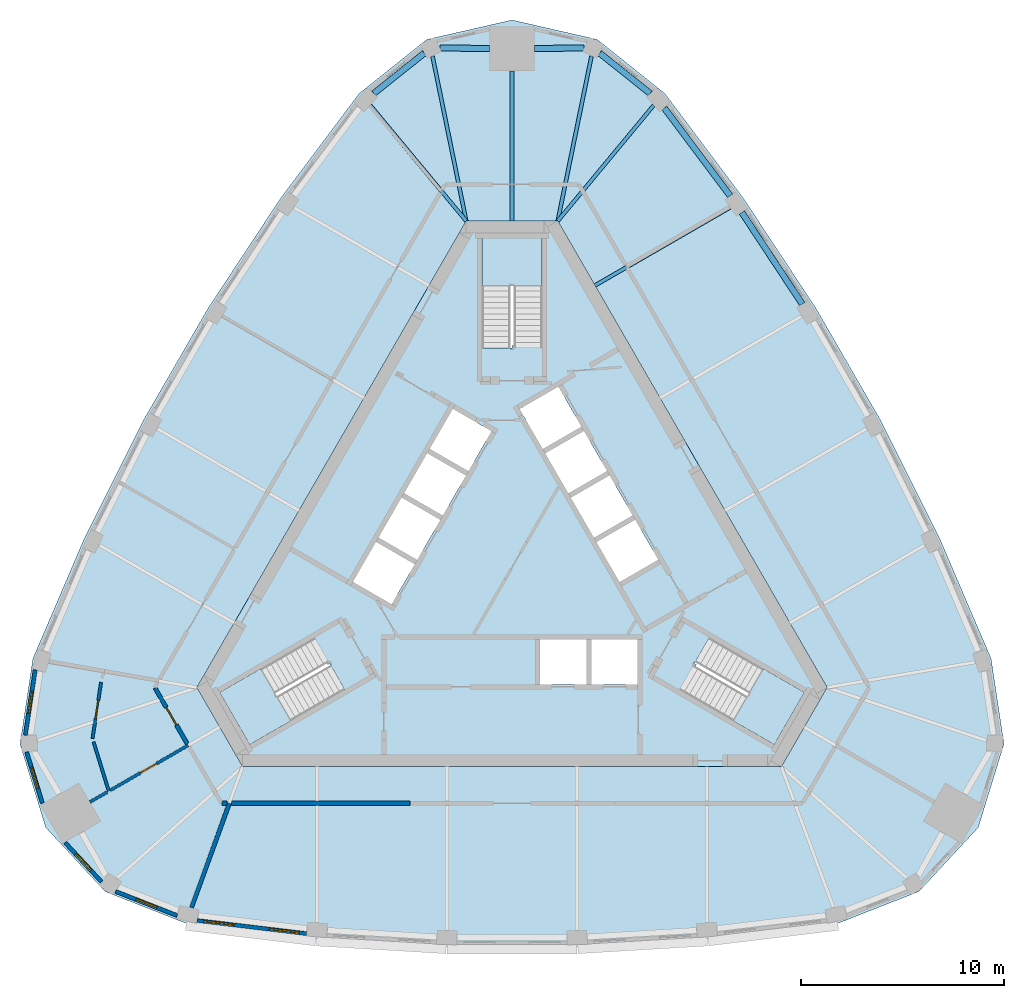
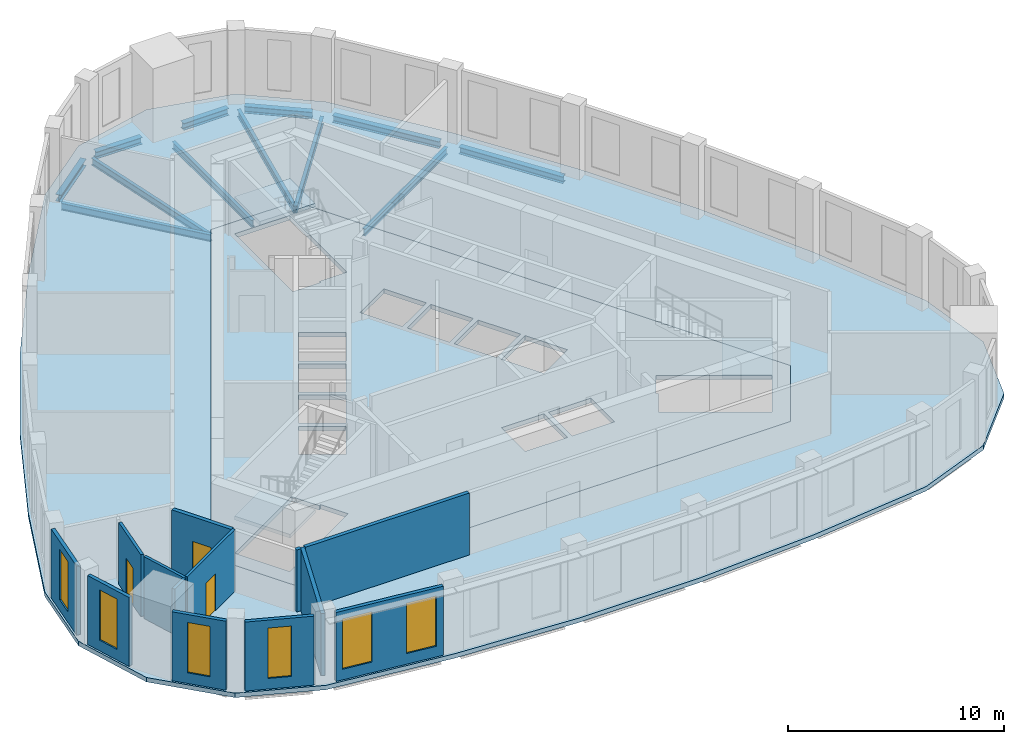
# One storey, part 2 of 8: 13 walls, 12 beams, 6 windows, 5 slabs, 3 doors, 9 openings, 3 elements without a shape of their own.
"""IFC4 building model written with IfcOpenShell, lengths in metres."""

from ifc_helpers import new_model, si_unit, direction, frame, frame_2d, origin, origin_2d, place, context, subcontext, project, spatial, polyline, rectangle, i_section, outline, extrude, material, layer, layer_set, material_profile, profile_set, type_object, element, fill, aggregate, save


model = new_model("IFC4")

# Units and contexts
model_context = context("Model", 3, precision=1e-05, world=origin(), true_north=direction((0.0, 1.0)))
body_context = subcontext(model_context, "Body", "Model", "MODEL_VIEW")
ifc_project = project(units=[si_unit("LENGTHUNIT", "METRE"), si_unit("AREAUNIT", "SQUARE_METRE"), si_unit("VOLUMEUNIT", "CUBIC_METRE"), si_unit("PLANEANGLEUNIT", "RADIAN"), si_unit("MASSUNIT", "GRAM", prefix="KILO")], contexts=[model_context])

# Site, building, storey
site_placement = place(None, origin())
site = spatial("IfcSite", under=ifc_project, at=site_placement, CompositionType="ELEMENT")
building_placement = place(site_placement, origin())
building = spatial("IfcBuilding", under=site, at=building_placement, Name="Mestral Congress Tower", CompositionType="ELEMENT")
storey_placement = place(building_placement, frame((0.0, 0.0, 317.39990234375)))
storey = spatial("IfcBuildingStorey", under=building, at=storey_placement, Name="L74", CompositionType="ELEMENT", Elevation=317.39990234375)

# Beams
ifc_material_1 = material(Name="Steel S355", Category="steel")
ifc_material_profile_1 = material_profile(ifc_material_1, i_section(OverallWidth=0.179931640625, OverallDepth=0.39990234375, WebThickness=0.008544921875, FlangeThickness=0.013427734375, FilletRadius=0.02099609375, at=origin_2d()), Name="IPE 400")
ifc_profile_set_1 = profile_set([ifc_material_profile_1], Name="Steel S355")
beam_type_1 = type_object("IfcBeamType", Name="Floor beam IPE 400 S355", PredefinedType="BEAM", material=ifc_profile_set_1)
beam_1_placement = place(storey_placement, frame((10.7275390625, 17.263916015625, -0.449951171875), z_axis=(-0.866019720907, -0.500009842903, 0.0), x_axis=(0.500009842903, -0.866019720907, 0.0)))
element("IfcBeam", 1, at=beam_1_placement, inside=storey, type_object=beam_type_1, Name="BM-L74-RB5-E04", PredefinedType="BEAM", context=body_context, shape_type="SweptSolid", body=[
    extrude(i_section(OverallWidth=0.179931640625, OverallDepth=0.39990234375, WebThickness=0.008544921875, FlangeThickness=0.013427734375, FilletRadius=0.02099609375, at=origin_2d()), origin(), (0.0, 0.0, 1.0), 7.672119140625),
])
beam_2_placement = place(storey_placement, frame((6.969970703125, 22.2890625, -0.449951171875), z_axis=(-0.638382651591, -0.769719163168, 0.0), x_axis=(0.769719163168, -0.638382651591, 0.0)))
element("IfcBeam", 2, at=beam_2_placement, inside=storey, type_object=beam_type_1, Name="BM-L74-RB5-E05", PredefinedType="BEAM", context=body_context, shape_type="SweptSolid", body=[
    extrude(i_section(OverallWidth=0.179931640625, OverallDepth=0.39990234375, WebThickness=0.008544921875, FlangeThickness=0.013427734375, FilletRadius=0.02099609375, at=origin_2d()), origin(), (0.0, 0.0, 1.0), 7.390869140625),
])
beam_3_placement = place(storey_placement, frame((3.910888671875, 24.7119140625, -0.449951171875), z_axis=(-0.200389803804, -0.979716247967, 0.0), x_axis=(0.979716247967, -0.200389803804, 0.0)))
element("IfcBeam", 3, at=beam_3_placement, inside=storey, type_object=beam_type_1, Name="BM-L74-RB5-N1", PredefinedType="BEAM", context=body_context, shape_type="SweptSolid", body=[
    extrude(i_section(OverallWidth=0.179931640625, OverallDepth=0.39990234375, WebThickness=0.008544921875, FlangeThickness=0.013427734375, FilletRadius=0.02099609375, at=origin_2d()), origin(), (0.0, 0.0, 1.0), 8.27978515625),
])
beam_4_placement = place(storey_placement, frame((0.0, 23.97802734375, -0.449951171875), z_axis=(0.0, -1.0, 0.0), x_axis=(1.0, 0.0, 0.0)))
element("IfcBeam", 4, at=beam_4_placement, inside=storey, type_object=beam_type_1, Name="BM-L74-RB5-N", PredefinedType="BEAM", context=body_context, shape_type="SweptSolid", body=[
    extrude(i_section(OverallWidth=0.179931640625, OverallDepth=0.39990234375, WebThickness=0.008544921875, FlangeThickness=0.013427734375, FilletRadius=0.02099609375, at=origin_2d()), origin(), (0.0, 0.0, 1.0), 7.3779296875),
])
beam_5_placement = place(storey_placement, frame((-3.910888671875, 24.7119140625, -0.449951171875), z_axis=(0.200389803804, -0.979716247967, 0.0), x_axis=(0.979716247967, 0.200389803804, 0.0)))
element("IfcBeam", 5, at=beam_5_placement, inside=storey, type_object=beam_type_1, Name="BM-L74-RB5-N3", PredefinedType="BEAM", context=body_context, shape_type="SweptSolid", body=[
    extrude(i_section(OverallWidth=0.179931640625, OverallDepth=0.39990234375, WebThickness=0.008544921875, FlangeThickness=0.013427734375, FilletRadius=0.02099609375, at=origin_2d()), origin(), (0.0, 0.0, 1.0), 8.27978515625),
])
beam_6_placement = place(storey_placement, frame((-6.969970703125, 22.2890625, -0.449951171875), z_axis=(0.638382651591, -0.769719163168, 0.0), x_axis=(0.769719163168, 0.638382651591, 0.0)))
element("IfcBeam", 6, at=beam_6_placement, inside=storey, type_object=beam_type_1, Name="BM-L74-RB5-W00", PredefinedType="BEAM", context=body_context, shape_type="SweptSolid", body=[
    extrude(i_section(OverallWidth=0.179931640625, OverallDepth=0.39990234375, WebThickness=0.008544921875, FlangeThickness=0.013427734375, FilletRadius=0.02099609375, at=origin_2d()), origin(), (0.0, 0.0, 1.0), 7.390869140625),
])
ifc_material_profile_2 = material_profile(ifc_material_1, i_section(OverallWidth=0.300048828125, OverallDepth=0.389892578125, WebThickness=0.010986328125, FlangeThickness=0.01904296875, FilletRadius=0.027099609375, at=origin_2d()), Name="HEA 400")
ifc_profile_set_2 = profile_set([ifc_material_profile_2], Name="Steel S355")
beam_type_2 = type_object("IfcBeamType", Name="Spandrel beam HEA 400 S355", PredefinedType="BEAM", material=ifc_profile_set_2)
beam_7_placement = place(storey_placement, frame((14.280517578125, 12.51611328125, -0.44482421875), z_axis=(-0.550748957655, 0.83467094453, 0.0), x_axis=(-0.83467094453, -0.550748957655, 0.0)))
element("IfcBeam", 7, at=beam_7_placement, inside=storey, type_object=beam_type_2, Name="SP-L74-SB5-E03", PredefinedType="BEAM", context=body_context, shape_type="SweptSolid", body=[
    extrude(i_section(OverallWidth=0.300048828125, OverallDepth=0.389892578125, WebThickness=0.010986328125, FlangeThickness=0.01904296875, FilletRadius=0.027099609375, at=origin_2d()), origin(), (0.0, 0.0, 1.0), 5.3984375),
])
beam_8_placement = place(storey_placement, frame((10.73193359375, 17.83984375, -0.44482421875), z_axis=(-0.599529393236, 0.800352738888, 0.0), x_axis=(-0.800352738888, -0.599529393236, 0.0)))
element("IfcBeam", 8, at=beam_8_placement, inside=storey, type_object=beam_type_2, Name="SP-L74-SB5-E04", PredefinedType="BEAM", context=body_context, shape_type="SweptSolid", body=[
    extrude(i_section(OverallWidth=0.300048828125, OverallDepth=0.389892578125, WebThickness=0.010986328125, FlangeThickness=0.01904296875, FilletRadius=0.027099609375, at=origin_2d()), origin(), (0.0, 0.0, 1.0), 5.396484375),
])
beam_9_placement = place(storey_placement, frame((6.7998046875, 22.876708984375, -0.44482421875), z_axis=(-0.781647188603, 0.623720829016, 0.0), x_axis=(-0.623720829016, -0.781647188603, 0.0)))
element("IfcBeam", 9, at=beam_9_placement, inside=storey, type_object=beam_type_2, Name="SP-L74-SB5-E05", PredefinedType="BEAM", context=body_context, shape_type="SweptSolid", body=[
    extrude(i_section(OverallWidth=0.300048828125, OverallDepth=0.389892578125, WebThickness=0.010986328125, FlangeThickness=0.01904296875, FilletRadius=0.027099609375, at=origin_2d()), origin(), (0.0, 0.0, 1.0), 3.179931640625),
])
for number, where, z_axis, x_axis, name in (
    (10, (3.54736328125, 25.11181640625, -0.44482421875), (-0.999955093848, -0.009476829002, 0.0), (0.009476829002, -0.999955093848, 0.0), "SP-L74-SB5-N1"),
    (11, (-1.10009765625, 25.088623046875, -0.44482421875), (-0.999955093848, 0.009476829002, 0.0), (-0.009476829002, -0.999955093848, 0.0), "SP-L74-SB5-N"),
):
    element("IfcBeam", number, at=place(storey_placement, frame(where, z_axis=z_axis, x_axis=x_axis)), inside=storey, type_object=beam_type_2, Name=name, PredefinedType="BEAM", context=body_context, shape_type="SweptSolid", body=[
        extrude(i_section(OverallWidth=0.300048828125, OverallDepth=0.389892578125, WebThickness=0.010986328125, FlangeThickness=0.01904296875, FilletRadius=0.027099609375, at=origin_2d()), origin(), (0.0, 0.0, 1.0), 2.447265625),
    ])
beam_10_placement = place(storey_placement, frame((-4.314208984375, 24.860107421875, -0.44482421875), z_axis=(-0.781647188603, -0.623720829016, 0.0), x_axis=(0.623720829016, -0.781647188603, 0.0)))
element("IfcBeam", 12, at=beam_10_placement, inside=storey, type_object=beam_type_2, Name="SP-L74-SB5-N3", PredefinedType="BEAM", context=body_context, shape_type="SweptSolid", body=[
    extrude(i_section(OverallWidth=0.300048828125, OverallDepth=0.389892578125, WebThickness=0.010986328125, FlangeThickness=0.01904296875, FilletRadius=0.027099609375, at=origin_2d()), origin(), (0.0, 0.0, 1.0), 3.179931640625),
])

# Slabs
ifc_material_2 = material(Name="Concrete C35/45", Category="concrete")
ifc_layer_1 = layer(ifc_material_2, 0.25)
ifc_layer_set_1 = layer_set([ifc_layer_1], Name="Concrete C35/45")
slab_type_1 = type_object("IfcSlabType", Name="Composite floor slab 250", PredefinedType="FLOOR", material=ifc_layer_set_1)
placement_1 = place(storey_placement, frame((0.0, 0.0, -0.25)))
element("IfcSlab", 13, at=placement_1, inside=storey, type_object=slab_type_1, Name="SL-L74", PredefinedType="FLOOR", context=body_context, shape_type="SweptSolid", body=[
    extrude(outline(polyline([(-16.051513671875, -17.951904296875), (-20.014404296875, -16.39794921875), (-22.940673828125, -13.244873046875), (-24.208251953125, -9.1337890625), (-23.572509765625, -4.925048828125), (-21.027587890625, 1.0234375), (-18.152099609375, 6.77001953125), (-14.939208984375, 12.335205078125), (-11.400146484375, 17.698486328125), (-7.52099609375, 22.876953125), (-4.19384765625, 25.531982421875), (0.0, 26.48974609375), (4.19384765625, 25.531982421875), (7.52099609375, 22.876953125), (11.400146484375, 17.698486328125), (14.939208984375, 12.335205078125), (18.152099609375, 6.77001953125), (21.027587890625, 1.0234375), (23.572509765625, -4.925048828125), (24.208251953125, -9.1337890625), (22.940673828125, -13.244873046875), (20.014404296875, -16.39794921875), (16.051513671875, -17.951904296875), (9.62744140625, -18.72216796875), (3.212890625, -19.105224609375), (-3.212890625, -19.105224609375), (-9.62744140625, -18.72216796875), (-16.051513671875, -17.951904296875)]), holes=[polyline([(-2.251708984375, 16.60009765625), (-15.501953125, -6.35009765625), (-13.250244140625, -10.25), (13.250244140625, -10.25), (15.501953125, -6.35009765625), (2.251708984375, 16.60009765625), (-2.251708984375, 16.60009765625)])]), origin(), (0.0, 0.0, 1.0), 0.25),
])
ifc_material_3 = material(Name="Concrete C60/75", Category="concrete")
ifc_layer_2 = layer(ifc_material_3, 0.25)
ifc_layer_set_2 = layer_set([ifc_layer_2], Name="Concrete C60/75")
slab_type_2 = type_object("IfcSlabType", Name="Core floor slab RC 250", PredefinedType="FLOOR", material=ifc_layer_set_2)
element("IfcSlab", 14, at=placement_1, inside=storey, type_object=slab_type_2, Name="L74 core floor", PredefinedType="FLOOR", context=body_context, shape_type="SweptSolid", body=[
    extrude(outline(polyline([(13.250244140625, -10.25), (-13.250244140625, -10.25), (-15.501953125, -6.35009765625), (-2.251708984375, 16.60009765625), (2.251708984375, 16.60009765625), (15.501953125, -6.35009765625), (13.250244140625, -10.25)]), holes=[polyline([(-14.37744140625, -6.59765625), (-12.90234375, -9.15234375), (-8.234619140625, -6.45751953125), (-8.971923828125, -5.179931640625), (-9.0673828125, -5.235107421875), (-9.8046875, -3.95751953125), (-14.37744140625, -6.59765625)]), polyline([(-5.921630859375, -2.256591796875), (-4.78662109375, -0.29052734375), (-6.69189453125, 0.809326171875), (-7.826904296875, -1.156494140625), (-5.921630859375, -2.256591796875)]), polyline([(-4.66162109375, -0.07421875), (-3.526611328125, 1.8916015625), (-5.431884765625, 2.99169921875), (-6.56689453125, 1.02587890625), (-4.66162109375, -0.07421875)]), polyline([(-2.2666015625, 4.07421875), (-4.171875, 5.174072265625), (-5.306884765625, 3.208251953125), (-3.401611328125, 2.1083984375), (-2.2666015625, 4.07421875)]), polyline([(-2.1416015625, 4.29052734375), (-1.006591796875, 6.256591796875), (-2.911865234375, 7.3564453125), (-4.046875, 5.390625), (-2.1416015625, 4.29052734375)]), polyline([(0.376708984375, 7.34765625), (1.51171875, 5.3818359375), (3.4169921875, 6.481689453125), (2.281982421875, 8.44775390625), (0.376708984375, 7.34765625)]), polyline([(1.47509765625, 15.75), (-1.47509765625, 15.75), (-1.47509765625, 10.360107421875), (0.0, 10.360107421875), (0.0, 10.469970703125), (1.47509765625, 10.469970703125), (1.47509765625, 15.75)]), polyline([(8.329833984375, -6.512451171875), (12.90234375, -9.15234375), (14.37744140625, -6.59765625), (9.70947265625, -3.902587890625), (8.971923828125, -5.179931640625), (9.0673828125, -5.235107421875), (8.329833984375, -6.512451171875)]), polyline([(3.655029296875, -4.0), (1.385009765625, -4.0), (1.385009765625, -6.199951171875), (3.655029296875, -6.199951171875), (3.655029296875, -4.0)]), polyline([(6.175048828125, -4.0), (3.905029296875, -4.0), (3.905029296875, -6.199951171875), (6.175048828125, -6.199951171875), (6.175048828125, -4.0)]), polyline([(4.156494140625, 0.800537109375), (5.29150390625, -1.165283203125), (7.197021484375, -0.065185546875), (6.06201171875, 1.900634765625), (4.156494140625, 0.800537109375)]), polyline([(2.896484375, 2.98291015625), (4.031494140625, 1.01708984375), (5.93701171875, 2.1171875), (4.802001953125, 4.0830078125), (2.896484375, 2.98291015625)]), polyline([(1.63671875, 5.165283203125), (2.771484375, 3.199462890625), (4.677001953125, 4.29931640625), (3.5419921875, 6.265380859375), (1.63671875, 5.165283203125)])]), origin(), (0.0, 0.0, 1.0), 0.25),
])

# Stair, slab
stair_type = type_object("IfcStairType", Name="Exit stair 1400", PredefinedType="HALF_TURN_STAIR", material=ifc_material_3)
placement_2 = place(storey_placement, origin())
stair_1 = element("IfcStair", 15, at=placement_2, inside=storey, type_object=stair_type, Name="L74 ST1", PredefinedType="HALF_TURN_STAIR")
ifc_layer_3 = layer(ifc_material_3, 0.199951171875)
ifc_layer_set_3 = layer_set([ifc_layer_3], Name="Concrete C60/75")
slab_type_3 = type_object("IfcSlabType", Name="Exit stair landing 200", PredefinedType="LANDING", material=ifc_layer_set_3)
placement_3 = place(storey_placement, frame((0.0, 0.0, 1.900146484375)))
slab_3 = element("IfcSlab", 16, at=placement_3, type_object=slab_type_3, Name="ST1 landing 1", PredefinedType="LANDING", context=body_context, shape_type="SweptSolid", body=[
    extrude(outline(polyline([(10.879638671875, -7.99609375), (12.364501953125, -5.424072265625), (14.39111328125, -6.593994140625), (12.906005859375, -9.166015625), (10.879638671875, -7.99609375)])), origin(), (0.0, 0.0, 1.0), 0.199951171875),
])
aggregate(stair_1, [slab_3])

stair_2 = element("IfcStair", 17, at=placement_2, inside=storey, type_object=stair_type, Name="L74 ST2", PredefinedType="HALF_TURN_STAIR")
slab_4 = element("IfcSlab", 18, at=placement_3, type_object=slab_type_3, Name="ST2 landing 1", PredefinedType="LANDING", context=body_context, shape_type="SweptSolid", body=[
    extrude(outline(polyline([(1.485107421875, 13.419921875), (-1.485107421875, 13.419921875), (-1.485107421875, 15.760009765625), (1.485107421875, 15.760009765625), (1.485107421875, 13.419921875)])), origin(), (0.0, 0.0, 1.0), 0.199951171875),
])
aggregate(stair_2, [slab_4])

stair_3 = element("IfcStair", 19, at=placement_2, inside=storey, type_object=stair_type, Name="L74 ST3", PredefinedType="HALF_TURN_STAIR")
slab_5 = element("IfcSlab", 20, at=placement_3, type_object=slab_type_3, Name="ST3 landing 1", PredefinedType="LANDING", context=body_context, shape_type="SweptSolid", body=[
    extrude(outline(polyline([(-12.364501953125, -5.424072265625), (-10.879638671875, -7.99609375), (-12.906005859375, -9.166015625), (-14.39111328125, -6.593994140625), (-12.364501953125, -5.424072265625)])), origin(), (0.0, 0.0, 1.0), 0.199951171875),
])
aggregate(stair_3, [slab_5])

# Wall, openings, windows
ifc_material_4 = material(Name="Precast concrete C40/50 with limestone facing", Category="masonry")
ifc_layer_4 = layer(ifc_material_4, 0.18994140625)
ifc_layer_set_4 = layer_set([ifc_layer_4], Name="Precast concrete C40/50 with limestone facing")
wall_type_1 = type_object("IfcWallType", Name="Facade stone wall 190", PredefinedType="SOLIDWALL", material=ifc_layer_set_4)
wall_1_placement = place(storey_placement, frame((-15.487060546875, -17.822998046875, 0.0), z_axis=(0.0, 0.0, 1.0), x_axis=(0.992885582795, -0.119072328769, 0.0)))
wall_1 = element("IfcWall", 21, at=wall_1_placement, inside=storey, type_object=wall_type_1, Name="Facade wall F0-00", PredefinedType="SOLIDWALL", context=body_context, shape_type="SweptSolid", body=[
    extrude(rectangle(XDim=5.4150390625, YDim=0.18994140625, at=frame_2d((2.70751953125, 0.0))), origin(), (0.0, 0.0, 1.0), 3.900146484375),
])
opening_1_placement = place(wall_1_placement, frame((0.322509765625, 0.0, 0.60009765625)))
opening_1 = element("IfcOpeningElement", 22, at=opening_1_placement, cuts=wall_1, Name="Opening W6", PredefinedType="OPENING", context=body_context, shape_type="SweptSolid", body=[
    extrude(rectangle(XDim=1.5, YDim=2.85009765625, at=frame_2d((0.75, 1.425048828125))), frame((0.0, 0.10498046875, 0.0), z_axis=(0.0, -1.0, 0.0), x_axis=(1.0, 0.0, 0.0)), (0.0, 0.0, 1.0), 0.2099609375),
])
opening_2_placement = place(wall_1_placement, frame((3.5576171875, 0.0, 0.60009765625)))
opening_2 = element("IfcOpeningElement", 23, at=opening_2_placement, cuts=wall_1, Name="Opening W6", PredefinedType="OPENING", context=body_context, shape_type="SweptSolid", body=[
    extrude(rectangle(XDim=1.5, YDim=2.85009765625, at=frame_2d((0.75, 1.425048828125))), frame((0.0, 0.10498046875, 0.0), z_axis=(0.0, -1.0, 0.0), x_axis=(1.0, 0.0, 0.0)), (0.0, 0.0, 1.0), 0.2099609375),
])
ifc_material_5 = material(Name="Clear low-emissivity double glazing", Category="glass")
window_type_1 = type_object("IfcWindowType", Name="Facade punched window 1500 x 2850 sill 600", PartitioningType="SINGLE_PANEL", PredefinedType="WINDOW", material=ifc_material_5)
window_1_placement = place(opening_1_placement, origin())
window_1 = element("IfcWindow", 24, at=window_1_placement, inside=storey, type_object=window_type_1, Name="Window F0-00a", OverallHeight=2.85009765625, OverallWidth=1.5, PartitioningType="SINGLE_PANEL", PredefinedType="WINDOW", context=body_context, shape_type="SweptSolid", body=[
    extrude(rectangle(XDim=1.5, YDim=2.85009765625, at=frame_2d((0.75, 1.425048828125))), frame((0.0, 0.044921875, 0.0), z_axis=(0.0, -1.0, 0.0), x_axis=(1.0, 0.0, 0.0)), (0.0, 0.0, 1.0), 0.06005859375),
])
fill(opening_1, window_1)
window_2_placement = place(opening_2_placement, origin())
window_2 = element("IfcWindow", 25, at=window_2_placement, inside=storey, type_object=window_type_1, Name="Window F0-00b", OverallHeight=2.85009765625, OverallWidth=1.5, PartitioningType="SINGLE_PANEL", PredefinedType="WINDOW", context=body_context, shape_type="SweptSolid", body=[
    extrude(rectangle(XDim=1.5, YDim=2.85009765625, at=frame_2d((0.75, 1.425048828125))), frame((0.0, 0.044921875, 0.0), z_axis=(0.0, -1.0, 0.0), x_axis=(1.0, 0.0, 0.0)), (0.0, 0.0, 1.0), 0.06005859375),
])
fill(opening_2, window_2)

# Wall, opening, window
wall_2_placement = place(storey_placement, frame((-23.460205078125, -5.488037109375, 0.0), z_axis=(0.0, 0.0, 1.0), x_axis=(-0.149421055602, -0.988773658702, 0.0)))
wall_2 = element("IfcWall", 26, at=wall_2_placement, inside=storey, type_object=wall_type_1, Name="Facade wall K2-0", PredefinedType="SOLIDWALL", context=body_context, shape_type="SweptSolid", body=[
    extrude(rectangle(XDim=3.23681640625, YDim=0.18994140625, at=frame_2d((1.618408203125, 0.0))), origin(), (0.0, 0.0, 1.0), 3.900146484375),
])
opening_3_placement = place(wall_2_placement, frame((1.068359375, 0.0, 0.60009765625)))
opening_3 = element("IfcOpeningElement", 27, at=opening_3_placement, cuts=wall_2, Name="Opening W7", PredefinedType="OPENING", context=body_context, shape_type="SweptSolid", body=[
    extrude(rectangle(XDim=1.10009765625, YDim=2.85009765625, at=frame_2d((0.550048828125, 1.425048828125))), frame((0.0, 0.10498046875, 0.0), z_axis=(0.0, -1.0, 0.0), x_axis=(1.0, 0.0, 0.0)), (0.0, 0.0, 1.0), 0.2099609375),
])
window_type_2 = type_object("IfcWindowType", Name="Facade punched window 1100 x 2850 sill 600", PartitioningType="SINGLE_PANEL", PredefinedType="WINDOW", material=ifc_material_5)
window_3_placement = place(opening_3_placement, origin())
window_3 = element("IfcWindow", 28, at=window_3_placement, inside=storey, type_object=window_type_2, Name="Window K2-0", OverallHeight=2.85009765625, OverallWidth=1.10009765625, PartitioningType="SINGLE_PANEL", PredefinedType="WINDOW", context=body_context, shape_type="SweptSolid", body=[
    extrude(rectangle(XDim=1.10009765625, YDim=2.85009765625, at=frame_2d((0.550048828125, 1.425048828125))), frame((0.0, 0.044921875, 0.0), z_axis=(0.0, -1.0, 0.0), x_axis=(1.0, 0.0, 0.0)), (0.0, 0.0, 1.0), 0.06005859375),
])
fill(opening_3, window_3)

wall_3_placement = place(storey_placement, frame((-23.880615234375, -9.53515625, 0.0), z_axis=(0.0, 0.0, 1.0), x_axis=(0.294706210429, -0.9555879078, 0.0)))
wall_3 = element("IfcWall", 29, at=wall_3_placement, inside=storey, type_object=wall_type_1, Name="Facade wall K2-1", PredefinedType="SOLIDWALL", context=body_context, shape_type="SweptSolid", body=[
    extrude(rectangle(XDim=2.626953125, YDim=0.18994140625, at=frame_2d((1.3134765625, 0.0))), origin(), (0.0, 0.0, 1.0), 3.900146484375),
])
opening_4_placement = place(wall_3_placement, frame((0.763427734375, 0.0, 0.60009765625)))
opening_4 = element("IfcOpeningElement", 30, at=opening_4_placement, cuts=wall_3, Name="Opening W7", PredefinedType="OPENING", context=body_context, shape_type="SweptSolid", body=[
    extrude(rectangle(XDim=1.10009765625, YDim=2.85009765625, at=frame_2d((0.550048828125, 1.425048828125))), frame((0.0, 0.10498046875, 0.0), z_axis=(0.0, -1.0, 0.0), x_axis=(1.0, 0.0, 0.0)), (0.0, 0.0, 1.0), 0.2099609375),
])
window_4_placement = place(opening_4_placement, origin())
window_4 = element("IfcWindow", 31, at=window_4_placement, inside=storey, type_object=window_type_2, Name="Window K2-1", OverallHeight=2.85009765625, OverallWidth=1.10009765625, PartitioningType="SINGLE_PANEL", PredefinedType="WINDOW", context=body_context, shape_type="SweptSolid", body=[
    extrude(rectangle(XDim=1.10009765625, YDim=2.85009765625, at=frame_2d((0.550048828125, 1.425048828125))), frame((0.0, 0.044921875, 0.0), z_axis=(0.0, -1.0, 0.0), x_axis=(1.0, 0.0, 0.0)), (0.0, 0.0, 1.0), 0.06005859375),
])
fill(opening_4, window_4)

wall_4_placement = place(storey_placement, frame((-21.98486328125, -13.988037109375, 0.0), z_axis=(0.0, 0.0, 1.0), x_axis=(0.680219354823, -0.733008614768, 0.0)))
wall_4 = element("IfcWall", 32, at=wall_4_placement, inside=storey, type_object=wall_type_1, Name="Facade wall K2-2", PredefinedType="SOLIDWALL", context=body_context, shape_type="SweptSolid", body=[
    extrude(rectangle(XDim=2.626953125, YDim=0.18994140625, at=frame_2d((1.3134765625, 0.0))), origin(), (0.0, 0.0, 1.0), 3.900146484375),
])
opening_5_placement = place(wall_4_placement, frame((0.763427734375, 0.0, 0.60009765625)))
opening_5 = element("IfcOpeningElement", 33, at=opening_5_placement, cuts=wall_4, Name="Opening W7", PredefinedType="OPENING", context=body_context, shape_type="SweptSolid", body=[
    extrude(rectangle(XDim=1.10009765625, YDim=2.85009765625, at=frame_2d((0.550048828125, 1.425048828125))), frame((0.0, 0.10498046875, 0.0), z_axis=(0.0, -1.0, 0.0), x_axis=(1.0, 0.0, 0.0)), (0.0, 0.0, 1.0), 0.2099609375),
])
window_5_placement = place(opening_5_placement, origin())
window_5 = element("IfcWindow", 34, at=window_5_placement, inside=storey, type_object=window_type_2, Name="Window K2-2", OverallHeight=2.85009765625, OverallWidth=1.10009765625, PartitioningType="SINGLE_PANEL", PredefinedType="WINDOW", context=body_context, shape_type="SweptSolid", body=[
    extrude(rectangle(XDim=1.10009765625, YDim=2.85009765625, at=frame_2d((0.550048828125, 1.425048828125))), frame((0.0, 0.044921875, 0.0), z_axis=(0.0, -1.0, 0.0), x_axis=(1.0, 0.0, 0.0)), (0.0, 0.0, 1.0), 0.06005859375),
])
fill(opening_5, window_5)

wall_5_placement = place(storey_placement, frame((-19.496337890625, -16.3916015625, 0.0), z_axis=(0.0, 0.0, 1.0), x_axis=(0.93100888477, -0.364996515709, 0.0)))
wall_5 = element("IfcWall", 35, at=wall_5_placement, inside=storey, type_object=wall_type_1, Name="Facade wall K2-3", PredefinedType="SOLIDWALL", context=body_context, shape_type="SweptSolid", body=[
    extrude(rectangle(XDim=3.23681640625, YDim=0.18994140625, at=frame_2d((1.618408203125, 0.0))), origin(), (0.0, 0.0, 1.0), 3.900146484375),
])
opening_6_placement = place(wall_5_placement, frame((1.068359375, 0.0, 0.60009765625)))
opening_6 = element("IfcOpeningElement", 36, at=opening_6_placement, cuts=wall_5, Name="Opening W7", PredefinedType="OPENING", context=body_context, shape_type="SweptSolid", body=[
    extrude(rectangle(XDim=1.10009765625, YDim=2.85009765625, at=frame_2d((0.550048828125, 1.425048828125))), frame((0.0, 0.10498046875, 0.0), z_axis=(0.0, -1.0, 0.0), x_axis=(1.0, 0.0, 0.0)), (0.0, 0.0, 1.0), 0.2099609375),
])
window_6_placement = place(opening_6_placement, origin())
window_6 = element("IfcWindow", 37, at=window_6_placement, inside=storey, type_object=window_type_2, Name="Window K2-3", OverallHeight=2.85009765625, OverallWidth=1.10009765625, PartitioningType="SINGLE_PANEL", PredefinedType="WINDOW", context=body_context, shape_type="SweptSolid", body=[
    extrude(rectangle(XDim=1.10009765625, YDim=2.85009765625, at=frame_2d((0.550048828125, 1.425048828125))), frame((0.0, 0.044921875, 0.0), z_axis=(0.0, -1.0, 0.0), x_axis=(1.0, 0.0, 0.0)), (0.0, 0.0, 1.0), 0.06005859375),
])
fill(opening_6, window_6)

# Wall, opening, door
ifc_material_6 = material(Name="Plasterboard partition on steel studs", Category="steel")
ifc_layer_5 = layer(ifc_material_6, 0.14990234375)
ifc_layer_set_5 = layer_set([ifc_layer_5], Name="Plasterboard partition on steel studs")
wall_type_2 = type_object("IfcWallType", Name="Office partition 150", PredefinedType="PARTITIONING", material=ifc_layer_set_5)
wall_6_placement = place(storey_placement, frame((-20.638427734375, -8.8671875, 0.0), z_axis=(0.0, 0.0, 1.0), x_axis=(0.149402322172, 0.988776489471, 0.0)))
wall_6 = element("IfcWall", 38, at=wall_6_placement, inside=storey, type_object=wall_type_2, Name="Partition", PredefinedType="PARTITIONING", context=body_context, shape_type="SweptSolid", body=[
    extrude(rectangle(XDim=2.79931640625, YDim=0.14990234375, at=frame_2d((1.399658203125, 0.0))), origin(), (0.0, 0.0, 1.0), 3.5),
])
opening_7_placement = place(wall_6_placement, frame((0.999267578125, 0.0, 0.0)))
opening_7 = element("IfcOpeningElement", 39, at=opening_7_placement, cuts=wall_6, Name="Opening O15-007", PredefinedType="OPENING", context=body_context, shape_type="SweptSolid", body=[
    extrude(rectangle(XDim=0.89990234375, YDim=2.10009765625, at=frame_2d((0.449951171875, 1.050048828125))), frame((0.0, 0.0849609375, 0.0), z_axis=(0.0, -1.0, 0.0), x_axis=(1.0, 0.0, 0.0)), (0.0, 0.0, 1.0), 0.169921875),
])
ifc_material_7 = material(Name="Timber door set", Category="wood")
door_type_1 = type_object("IfcDoorType", Name="Office door 900x2100", OperationType="SINGLE_SWING_LEFT", PredefinedType="DOOR", material=ifc_material_7)
door_1_placement = place(opening_7_placement, origin())
door_1 = element("IfcDoor", 40, at=door_1_placement, inside=storey, type_object=door_type_1, Name="Door O15-007", OperationType="SINGLE_SWING_RIGHT", OverallHeight=2.10009765625, OverallWidth=0.89990234375, PredefinedType="DOOR", context=body_context, shape_type="SweptSolid", body=[
    extrude(rectangle(XDim=0.89990234375, YDim=2.10009765625, at=frame_2d((0.449951171875, 1.050048828125))), frame((0.0, 0.02490234375, 0.0), z_axis=(0.0, -1.0, 0.0), x_axis=(1.0, 0.0, 0.0)), (0.0, 0.0, 1.0), 0.050048828125),
])
fill(opening_7, door_1)

# Walls
wall_7_placement = place(storey_placement, frame((-20.58740234375, -9.0322265625, 0.0), z_axis=(0.0, 0.0, 1.0), x_axis=(0.294593354479, -0.95562270562, 0.0)))
element("IfcWall", 41, at=wall_7_placement, inside=storey, type_object=wall_type_2, Name="Partition", PredefinedType="PARTITIONING", context=body_context, shape_type="SweptSolid", body=[
    extrude(rectangle(XDim=2.53515625, YDim=0.14990234375, at=frame_2d((1.267578125, 0.0))), origin(), (0.0, 0.0, 1.0), 3.5),
])
wall_8_placement = place(storey_placement, frame((-19.906982421875, -11.493408203125, 0.0), z_axis=(0.0, 0.0, 1.0), x_axis=(-0.866083074959, -0.499900097289, 0.0)))
element("IfcWall", 42, at=wall_8_placement, inside=storey, type_object=wall_type_2, Name="Partition", PredefinedType="PARTITIONING", context=body_context, shape_type="SweptSolid", body=[
    extrude(rectangle(XDim=0.991455078125, YDim=0.14990234375, at=frame_2d((0.49560546875, 0.0))), origin(), (0.0, 0.0, 1.0), 3.5),
])

# Wall, opening, door
wall_9_placement = place(storey_placement, frame((-15.934814453125, -9.199951171875, 0.0), z_axis=(0.0, 0.0, 1.0), x_axis=(-0.866021420858, -0.500006898567, 0.0)))
wall_9 = element("IfcWall", 43, at=wall_9_placement, inside=storey, type_object=wall_type_2, Name="Partition", PredefinedType="PARTITIONING", context=body_context, shape_type="SweptSolid", body=[
    extrude(rectangle(XDim=4.43310546875, YDim=0.14990234375, at=frame_2d((2.216552734375, 0.0))), origin(), (0.0, 0.0, 1.0), 3.5),
])
opening_8_placement = place(wall_9_placement, frame((1.800048828125, 0.0, 0.0)))
opening_8 = element("IfcOpeningElement", 44, at=opening_8_placement, cuts=wall_9, Name="Opening O15-009", PredefinedType="OPENING", context=body_context, shape_type="SweptSolid", body=[
    extrude(rectangle(XDim=0.89990234375, YDim=2.10009765625, at=frame_2d((0.449951171875, 1.050048828125))), frame((0.0, 0.0849609375, 0.0), z_axis=(0.0, -1.0, 0.0), x_axis=(1.0, 0.0, 0.0)), (0.0, 0.0, 1.0), 0.169921875),
])
door_2_placement = place(opening_8_placement, origin())
door_2 = element("IfcDoor", 45, at=door_2_placement, inside=storey, type_object=door_type_1, Name="Door O15-009", OperationType="SINGLE_SWING_RIGHT", OverallHeight=2.10009765625, OverallWidth=0.89990234375, PredefinedType="DOOR", context=body_context, shape_type="SweptSolid", body=[
    extrude(rectangle(XDim=0.89990234375, YDim=2.10009765625, at=frame_2d((0.449951171875, 1.050048828125))), frame((0.0, 0.02490234375, 0.0), z_axis=(0.0, -1.0, 0.0), x_axis=(1.0, 0.0, 0.0)), (0.0, 0.0, 1.0), 0.050048828125),
])
fill(opening_8, door_2)

# Walls
ifc_material_8 = material(Name="Dense masonry wall, plastered", Category="masonry")
ifc_layer_6 = layer(ifc_material_8, 0.199951171875)
ifc_layer_set_6 = layer_set([ifc_layer_6], Name="Dense masonry wall, plastered")
wall_type_3 = type_object("IfcWallType", Name="Office tenancy wall 200", PredefinedType="PARTITIONING", material=ifc_layer_set_6)
wall_10_placement = place(storey_placement, frame((-15.7744140625, -17.190185546875, 0.0), z_axis=(0.0, 0.0, 1.0), x_axis=(0.341821907823, 0.93976474893, 0.0)))
element("IfcWall", 46, at=wall_10_placement, inside=storey, type_object=wall_type_3, Name="Tenancy wall", PredefinedType="PARTITIONING", context=body_context, shape_type="SweptSolid", body=[
    extrude(rectangle(XDim=5.469482421875, YDim=0.199951171875, at=frame_2d((2.73486328125, 0.0))), origin(), (0.0, 0.0, 1.0), 3.5),
])
wall_11_placement = place(storey_placement, frame((-13.798583984375, -12.050048828125, 0.0), z_axis=(0.0, 0.0, 1.0), x_axis=(1.0, 0.0, 0.0)))
element("IfcWall", 47, at=wall_11_placement, inside=storey, type_object=wall_type_3, Name="Tenancy wall", PredefinedType="PARTITIONING", context=body_context, shape_type="SweptSolid", body=[
    extrude(rectangle(XDim=8.7685546875, YDim=0.199951171875, at=frame_2d((4.38427734375, 0.0))), origin(), (0.0, 0.0, 1.0), 3.5),
])

# Wall, opening, door
wall_12_placement = place(storey_placement, frame((-17.565185546875, -6.3759765625, 0.0), z_axis=(0.0, 0.0, 1.0), x_axis=(0.499963479838, -0.866046487683, 0.0)))
wall_12 = element("IfcWall", 48, at=wall_12_placement, inside=storey, type_object=wall_type_3, Name="Tenancy wall", PredefinedType="PARTITIONING", context=body_context, shape_type="SweptSolid", body=[
    extrude(rectangle(XDim=3.185791015625, YDim=0.199951171875, at=frame_2d((1.5927734375, 0.0))), origin(), (0.0, 0.0, 1.0), 3.5),
])
opening_9_placement = place(wall_12_placement, frame((1.10009765625, 0.0, 0.0)))
opening_9 = element("IfcOpeningElement", 49, at=opening_9_placement, cuts=wall_12, Name="Opening O15-008", PredefinedType="OPENING", context=body_context, shape_type="SweptSolid", body=[
    extrude(rectangle(XDim=1.0, YDim=2.10009765625, at=frame_2d((0.5, 1.050048828125))), frame((0.0, 0.10986328125, 0.0), z_axis=(0.0, -1.0, 0.0), x_axis=(1.0, 0.0, 0.0)), (0.0, 0.0, 1.0), 0.219970703125),
])
ifc_material_9 = material(Name="Fire-rated timber door set", Category="wood")
door_type_2 = type_object("IfcDoorType", Name="Office tenancy entrance door 1000x2100", OperationType="SINGLE_SWING_LEFT", PredefinedType="DOOR", material=ifc_material_9)
door_3_placement = place(opening_9_placement, origin())
door_3 = element("IfcDoor", 50, at=door_3_placement, inside=storey, type_object=door_type_2, Name="Door O15-008", OperationType="SINGLE_SWING_RIGHT", OverallHeight=2.10009765625, OverallWidth=1.0, PredefinedType="DOOR", context=body_context, shape_type="SweptSolid", body=[
    extrude(rectangle(XDim=1.0, YDim=2.10009765625, at=frame_2d((0.5, 1.050048828125))), frame((0.0, 0.02490234375, 0.0), z_axis=(0.0, -1.0, 0.0), x_axis=(1.0, 0.0, 0.0)), (0.0, 0.0, 1.0), 0.050048828125),
])
fill(opening_9, door_3)

# Wall
wall_13_placement = place(storey_placement, frame((-14.259521484375, -12.050048828125, 0.0), z_axis=(0.0, 0.0, 1.0), x_axis=(1.0, 0.0, 0.0)))
element("IfcWall", 51, at=wall_13_placement, inside=storey, type_object=wall_type_3, Name="Tenancy wall", PredefinedType="PARTITIONING", context=body_context, shape_type="SweptSolid", body=[
    extrude(rectangle(XDim=0.248291015625, YDim=0.199951171875, at=frame_2d((0.1240234375, 0.0))), origin(), (0.0, 0.0, 1.0), 3.5),
])

save(model, "model.ifc")
